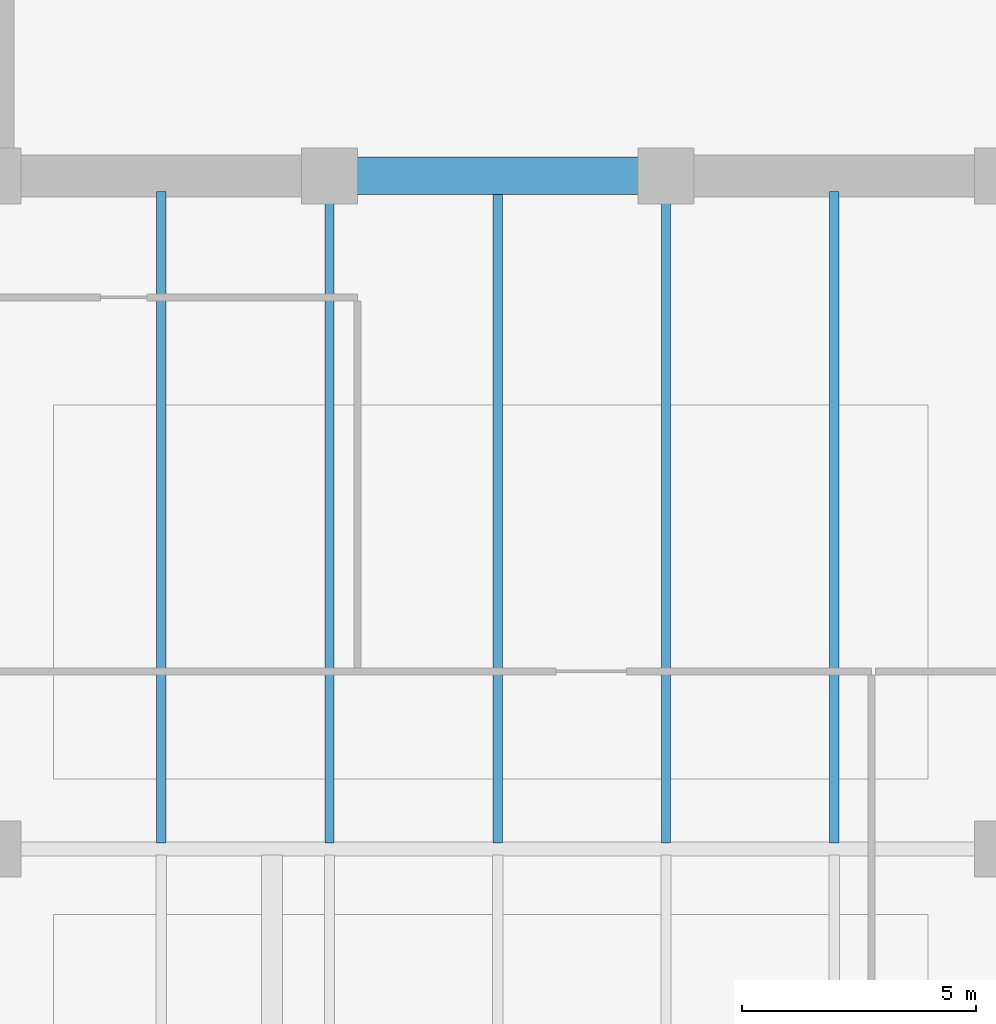
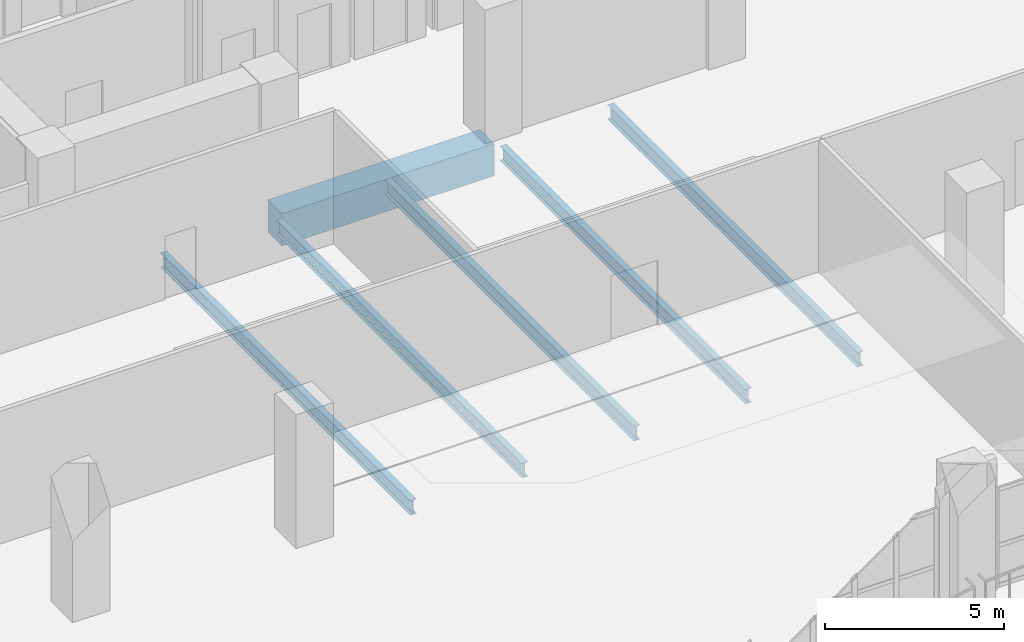
# One storey, part 11 of 37: 6 beams.
"""IFC4 building model written with IfcOpenShell, lengths in metres."""

from ifc_helpers import new_model, si_unit, direction, frame, origin, origin_2d, place, context, subcontext, project, spatial, rectangle, i_section, extrude, material, material_profile, profile_set, type_object, element, save


model = new_model("IFC4")

# Units and contexts
model_context = context("Model", 3, precision=1e-05, world=origin(), true_north=direction((0.0, 1.0)))
body_context = subcontext(model_context, "Body", "Model", "MODEL_VIEW")
ifc_project = project(units=[si_unit("LENGTHUNIT", "METRE"), si_unit("AREAUNIT", "SQUARE_METRE"), si_unit("VOLUMEUNIT", "CUBIC_METRE"), si_unit("PLANEANGLEUNIT", "RADIAN"), si_unit("MASSUNIT", "GRAM", prefix="KILO")], contexts=[model_context])

# Site, building, storey
site_placement = place(None, origin())
site = spatial("IfcSite", under=ifc_project, at=site_placement, CompositionType="ELEMENT")
building_placement = place(site_placement, origin())
building = spatial("IfcBuilding", under=site, at=building_placement, Name="Kaelvorn Grand Hotel", CompositionType="ELEMENT")
storey_placement = place(building_placement, frame((0.0, 0.0, 224.35009765625)))
storey = spatial("IfcBuildingStorey", under=building, at=storey_placement, Name="L55", CompositionType="ELEMENT", Elevation=224.35009765625)

# Beams
ifc_material_1 = material(Name="Steel S355", Category="steel")
ifc_material_profile_1 = material_profile(ifc_material_1, i_section(OverallWidth=0.199951171875, OverallDepth=0.5, WebThickness=0.01025390625, FlangeThickness=0.01611328125, FilletRadius=0.02099609375, at=origin_2d()), Name="IPE 500")
ifc_profile_set_1 = profile_set([ifc_material_profile_1], Name="Steel S355")
beam_type_1 = type_object("IfcBeamType", Name="BM-J-IPE500-S355", PredefinedType="JOIST", material=ifc_profile_set_1)
beam_1_placement = place(storey_placement, frame((19.800048828125, 15.131103515625, -0.489990234375), z_axis=(0.0, 1.0, 0.0), x_axis=(-1.0, 0.0, 0.0)))
element("IfcBeam", 1, at=beam_1_placement, inside=storey, type_object=beam_type_1, Name="L55 Composite Floor Joist JM-06", PredefinedType="JOIST", context=body_context, shape_type="SweptSolid", body=[
    extrude(i_section(OverallWidth=0.199951171875, OverallDepth=0.5, WebThickness=0.01025390625, FlangeThickness=0.01611328125, FilletRadius=0.02099609375, at=origin_2d()), origin(), (0.0, 0.0, 1.0), 13.928955078125),
])
beam_2_placement = place(storey_placement, frame((23.39990234375, 15.131103515625, -0.489990234375), z_axis=(0.0, 1.0, 0.0), x_axis=(-1.0, 0.0, 0.0)))
element("IfcBeam", 2, at=beam_2_placement, inside=storey, type_object=beam_type_1, Name="L55 Composite Floor Joist JM-07", PredefinedType="JOIST", context=body_context, shape_type="SweptSolid", body=[
    extrude(i_section(OverallWidth=0.199951171875, OverallDepth=0.5, WebThickness=0.01025390625, FlangeThickness=0.01611328125, FilletRadius=0.02099609375, at=origin_2d()), origin(), (0.0, 0.0, 1.0), 13.683837890625),
])
beam_3_placement = place(storey_placement, frame((27.0, 15.131103515625, -0.489990234375), z_axis=(0.0, 1.0, 0.0), x_axis=(-1.0, 0.0, 0.0)))
element("IfcBeam", 3, at=beam_3_placement, inside=storey, type_object=beam_type_1, Name="L55 Composite Floor Joist JM-08", PredefinedType="JOIST", context=body_context, shape_type="SweptSolid", body=[
    extrude(i_section(OverallWidth=0.199951171875, OverallDepth=0.5, WebThickness=0.01025390625, FlangeThickness=0.01611328125, FilletRadius=0.02099609375, at=origin_2d()), origin(), (0.0, 0.0, 1.0), 13.928955078125),
])
beam_4_placement = place(storey_placement, frame((30.60009765625, 15.131103515625, -0.489990234375), z_axis=(0.0, 1.0, 0.0), x_axis=(-1.0, 0.0, 0.0)))
element("IfcBeam", 4, at=beam_4_placement, inside=storey, type_object=beam_type_1, Name="L55 Composite Floor Joist JM-09", PredefinedType="JOIST", context=body_context, shape_type="SweptSolid", body=[
    extrude(i_section(OverallWidth=0.199951171875, OverallDepth=0.5, WebThickness=0.01025390625, FlangeThickness=0.01611328125, FilletRadius=0.02099609375, at=origin_2d()), origin(), (0.0, 0.0, 1.0), 13.683837890625),
])
beam_5_placement = place(storey_placement, frame((34.199951171875, 15.131103515625, -0.489990234375), z_axis=(0.0, 1.0, 0.0), x_axis=(-1.0, 0.0, 0.0)))
element("IfcBeam", 5, at=beam_5_placement, inside=storey, type_object=beam_type_1, Name="L55 Composite Floor Joist JM-10", PredefinedType="JOIST", context=body_context, shape_type="SweptSolid", body=[
    extrude(i_section(OverallWidth=0.199951171875, OverallDepth=0.5, WebThickness=0.01025390625, FlangeThickness=0.01611328125, FilletRadius=0.02099609375, at=origin_2d()), origin(), (0.0, 0.0, 1.0), 13.928955078125),
])
ifc_material_2 = material(Name="Concrete C60/75", Category="concrete")
ifc_material_profile_2 = material_profile(ifc_material_2, rectangle(XDim=0.800048828125, YDim=1.10009765625, at=origin_2d()), Name="RC LINTEL 800x1100")
ifc_profile_set_2 = profile_set([ifc_material_profile_2], Name="Concrete C60/75")
beam_type_2 = type_object("IfcBeamType", Name="BM-LIN-800x1100-C60", PredefinedType="LINTEL", material=ifc_profile_set_2)
beam_6_placement = place(storey_placement, frame((23.580078125, 29.39990234375, -0.7900390625), z_axis=(1.0, 0.0, 0.0), x_axis=(0.0, 1.0, 0.0)))
element("IfcBeam", 6, at=beam_6_placement, inside=storey, type_object=beam_type_2, Name="L55 Rear-Core Coupling Lintel Beam CB1-01", PredefinedType="LINTEL", context=body_context, shape_type="SweptSolid", body=[
    extrude(rectangle(XDim=0.800048828125, YDim=1.10009765625, at=origin_2d()), origin(), (0.0, 0.0, 1.0), 6.83984375),
])

save(model, "model.ifc")
